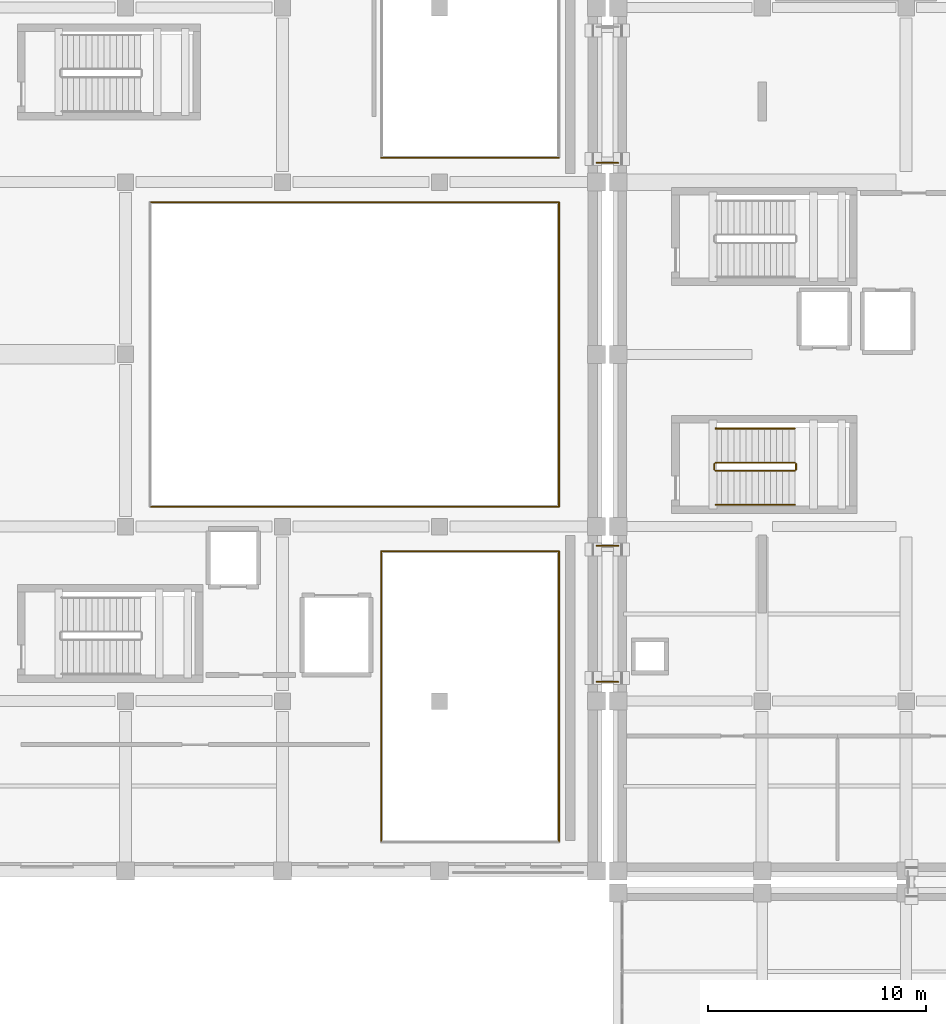
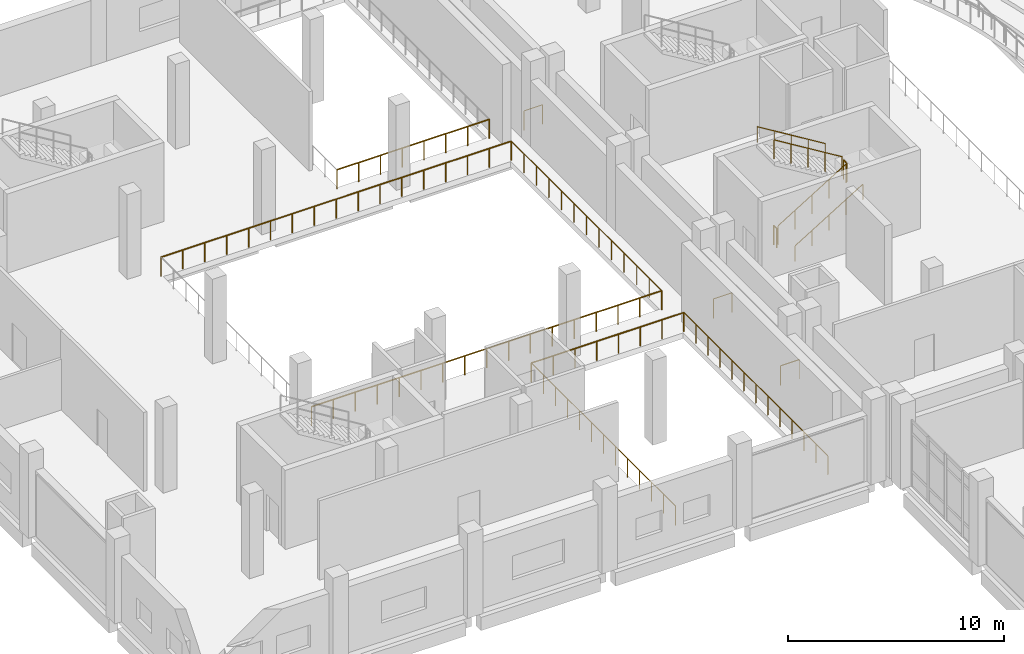
# One storey, part 66 of 73: 16 railings.
"""IFC4 building model written with IfcOpenShell, lengths in metres."""

from ifc_helpers import new_model, si_unit, direction, frame, origin, origin_2d, place, context, subcontext, project, spatial, circle, extrude, material, type_object, element, save


model = new_model("IFC4")

# Units and contexts
model_context = context("Model", 3, precision=1e-05, world=origin(), true_north=direction((0.0, 1.0)))
body_context = subcontext(model_context, "Body", "Model", "MODEL_VIEW")
ifc_project = project(units=[si_unit("LENGTHUNIT", "METRE"), si_unit("AREAUNIT", "SQUARE_METRE"), si_unit("VOLUMEUNIT", "CUBIC_METRE"), si_unit("PLANEANGLEUNIT", "RADIAN"), si_unit("MASSUNIT", "GRAM", prefix="KILO")], contexts=[model_context])

# Site, building, storey
site_placement = place(None, origin())
site = spatial("IfcSite", under=ifc_project, at=site_placement, CompositionType="ELEMENT")
building_placement = place(site_placement, origin())
building = spatial("IfcBuilding", under=site, at=building_placement, Name="Kelarvand Opera House", CompositionType="ELEMENT")
storey_placement = place(building_placement, frame((0.0, 0.0, 10.199951171875)))
storey = spatial("IfcBuildingStorey", under=building, at=storey_placement, Name="L02", CompositionType="ELEMENT", Elevation=10.199951171875)

# Railings
ifc_material_1 = material(Name="Brushed bronze tubular rail")
railing_type_1 = type_object("IfcRailingType", Name="Brushed Bronze Stair Wall Handrail 900", PredefinedType="HANDRAIL", material=ifc_material_1)
railing_1_placement = place(storey_placement, frame((93.4599609375, 55.60009765625, 0.17138671875)))
element("IfcRailing", 1, at=railing_1_placement, inside=storey, type_object=railing_type_1, Name="L02 ST-04 stair handrail 1", PredefinedType="HANDRAIL", context=body_context, shape_type="SweptSolid", body=[
    extrude(circle(Radius=0.02392578125, at=origin_2d()), frame((0.0, 0.0, 0.8759765625), z_axis=(0.852840387347, 0.0, 0.522171689878), x_axis=(0.0, 1.0, 0.0)), (0.0, 0.0, 1.0), 4.268310546875),
    extrude(circle(Radius=0.02099609375, at=origin_2d()), origin(), (0.0, 0.0, 1.0), 0.851806640625),
    extrude(circle(Radius=0.02099609375, at=origin_2d()), frame((0.91015625, 0.0, 0.55712890625)), (0.0, 0.0, 1.0), 0.851806640625),
    extrude(circle(Radius=0.02099609375, at=origin_2d()), frame((1.820068359375, 0.0, 1.1142578125)), (0.0, 0.0, 1.0), 0.851806640625),
    extrude(circle(Radius=0.02099609375, at=origin_2d()), frame((2.72998046875, 0.0, 1.671630859375)), (0.0, 0.0, 1.0), 0.851806640625),
    extrude(circle(Radius=0.02099609375, at=origin_2d()), frame((3.64013671875, 0.0, 2.228759765625)), (0.0, 0.0, 1.0), 0.851806640625),
])
railing_2_placement = place(storey_placement, frame((97.10009765625, 59.10009765625, 2.571533203125)))
element("IfcRailing", 2, at=railing_2_placement, inside=storey, type_object=railing_type_1, Name="L02 ST-04 stair handrail 2", PredefinedType="HANDRAIL", context=body_context, shape_type="SweptSolid", body=[
    extrude(circle(Radius=0.02392578125, at=origin_2d()), frame((0.0, 0.0, 0.8759765625), z_axis=(-0.852865859571, 0.0, 0.52213008492), x_axis=(0.0, -1.0, 0.0)), (0.0, 0.0, 1.0), 4.26806640625),
    extrude(circle(Radius=0.02099609375, at=origin_2d()), origin(), (0.0, 0.0, 1.0), 0.851806640625),
    extrude(circle(Radius=0.02099609375, at=origin_2d()), frame((-0.91015625, 0.0, 0.55712890625)), (0.0, 0.0, 1.0), 0.851806640625),
    extrude(circle(Radius=0.02099609375, at=origin_2d()), frame((-1.820068359375, 0.0, 1.1142578125)), (0.0, 0.0, 1.0), 0.851806640625),
    extrude(circle(Radius=0.02099609375, at=origin_2d()), frame((-2.72998046875, 0.0, 1.67138671875)), (0.0, 0.0, 1.0), 0.851806640625),
    extrude(circle(Radius=0.02099609375, at=origin_2d()), frame((-3.64013671875, 0.0, 2.228515625)), (0.0, 0.0, 1.0), 0.851806640625),
])
ifc_material_2 = material(Name="Laminated safety glass with bronze cap rail", Category="glass")
railing_type_2 = type_object("IfcRailingType", Name="Laminated Glass and Bronze Foyer Balustrade 1120", PredefinedType="BALUSTRADE", material=ifc_material_2)
for number, where, name in (
    (3, (88.0, 71.280029296875, 0.0), "V1 L02 Balustrade 139"),
    (4, (88.0, 47.47998046875, 0.0), "V1 L02 Balustrade 151"),
    (5, (88.0, 53.719970703125, 0.0), "V1 L02 Balustrade 152"),
):
    element("IfcRailing", number, at=place(storey_placement, frame(where)), inside=storey, type_object=railing_type_2, Name=name, PredefinedType="BALUSTRADE", context=body_context, shape_type="SweptSolid", body=[
        extrude(circle(Radius=0.02392578125, at=origin_2d()), frame((0.0, 0.0, 1.09619140625), z_axis=(1.0, 0.0, 0.0), x_axis=(0.0, 1.0, 0.0)), (0.0, 0.0, 1.0), 1.0),
        extrude(circle(Radius=0.02099609375, at=origin_2d()), origin(), (0.0, 0.0, 1.0), 1.072021484375),
        extrude(circle(Radius=0.02099609375, at=origin_2d()), frame((1.0, 0.0, 0.0)), (0.0, 0.0, 1.0), 1.072021484375),
    ])
ifc_material_3 = material(Name="Powder-coated Steel S355", Category="steel")
railing_type_3 = type_object("IfcRailingType", Name="Painted Steel Stair and Void Guardrail 1100", PredefinedType="GUARDRAIL", material=ifc_material_3)
railing_3_placement = place(storey_placement, frame((93.4599609375, 57.159912109375, 0.17138671875)))
element("IfcRailing", 6, at=railing_3_placement, inside=storey, type_object=railing_type_3, Name="L02 ST-04 stair guard 1", PredefinedType="GUARDRAIL", context=body_context, shape_type="SweptSolid", body=[
    extrude(circle(Radius=0.02392578125, at=origin_2d()), frame((0.0, 0.0, 1.076171875), z_axis=(0.852840387347, 0.0, 0.522171689878), x_axis=(0.0, 1.0, 0.0)), (0.0, 0.0, 1.0), 4.268310546875),
    extrude(circle(Radius=0.02099609375, at=origin_2d()), origin(), (0.0, 0.0, 1.0), 1.052001953125),
    extrude(circle(Radius=0.02099609375, at=origin_2d()), frame((0.91015625, 0.0, 0.55712890625)), (0.0, 0.0, 1.0), 1.052001953125),
    extrude(circle(Radius=0.02099609375, at=origin_2d()), frame((1.820068359375, 0.0, 1.1142578125)), (0.0, 0.0, 1.0), 1.052001953125),
    extrude(circle(Radius=0.02099609375, at=origin_2d()), frame((2.72998046875, 0.0, 1.671630859375)), (0.0, 0.0, 1.0), 1.052001953125),
    extrude(circle(Radius=0.02099609375, at=origin_2d()), frame((3.64013671875, 0.0, 2.228759765625)), (0.0, 0.0, 1.0), 1.052001953125),
])
railing_4_placement = place(storey_placement, frame((97.14990234375, 57.2099609375, 2.400146484375)))
element("IfcRailing", 7, at=railing_4_placement, inside=storey, type_object=railing_type_3, Name="L02 ST-04 stair guard 2", PredefinedType="GUARDRAIL", context=body_context, shape_type="SweptSolid", body=[
    extrude(circle(Radius=0.02392578125, at=origin_2d()), frame((0.0, 0.0, 1.076171875), z_axis=(0.0, 1.0, 0.0), x_axis=(-1.0, 0.0, 0.0)), (0.0, 0.0, 1.0), 0.280029296875),
    extrude(circle(Radius=0.02099609375, at=origin_2d()), origin(), (0.0, 0.0, 1.0), 1.052001953125),
    extrude(circle(Radius=0.02099609375, at=origin_2d()), frame((0.0, 0.280029296875, 0.0)), (0.0, 0.0, 1.0), 1.052001953125),
])
railing_5_placement = place(storey_placement, frame((97.10009765625, 57.5400390625, 2.571533203125)))
element("IfcRailing", 8, at=railing_5_placement, inside=storey, type_object=railing_type_3, Name="L02 ST-04 stair guard 3", PredefinedType="GUARDRAIL", context=body_context, shape_type="SweptSolid", body=[
    extrude(circle(Radius=0.02392578125, at=origin_2d()), frame((0.0, 0.0, 1.076171875), z_axis=(-0.852865859571, 0.0, 0.52213008492), x_axis=(0.0, -1.0, 0.0)), (0.0, 0.0, 1.0), 4.26806640625),
    extrude(circle(Radius=0.02099609375, at=origin_2d()), origin(), (0.0, 0.0, 1.0), 1.052001953125),
    extrude(circle(Radius=0.02099609375, at=origin_2d()), frame((-0.91015625, 0.0, 0.55712890625)), (0.0, 0.0, 1.0), 1.052001953125),
    extrude(circle(Radius=0.02099609375, at=origin_2d()), frame((-1.820068359375, 0.0, 1.1142578125)), (0.0, 0.0, 1.0), 1.052001953125),
    extrude(circle(Radius=0.02099609375, at=origin_2d()), frame((-2.72998046875, 0.0, 1.67138671875)), (0.0, 0.0, 1.0), 1.052001953125),
    extrude(circle(Radius=0.02099609375, at=origin_2d()), frame((-3.64013671875, 0.0, 2.228515625)), (0.0, 0.0, 1.0), 1.052001953125),
])
railing_6_placement = place(storey_placement, frame((93.409912109375, 57.2099609375, 0.0)))
element("IfcRailing", 9, at=railing_6_placement, inside=storey, type_object=railing_type_3, Name="L02 ST-04 stair guard 4", PredefinedType="GUARDRAIL", context=body_context, shape_type="SweptSolid", body=[
    extrude(circle(Radius=0.02392578125, at=origin_2d()), frame((0.0, 0.0, 1.076171875), z_axis=(0.0, 1.0, 0.0), x_axis=(-1.0, 0.0, 0.0)), (0.0, 0.0, 1.0), 0.280029296875),
    extrude(circle(Radius=0.02099609375, at=origin_2d()), origin(), (0.0, 0.0, 1.0), 1.052001953125),
    extrude(circle(Radius=0.02099609375, at=origin_2d()), frame((0.0, 0.280029296875, 0.0)), (0.0, 0.0, 1.0), 1.052001953125),
])
railing_7_placement = place(storey_placement, frame((86.280029296875, 53.47998046875, 0.0)))
element("IfcRailing", 10, at=railing_7_placement, inside=storey, type_object=railing_type_3, Name="V2 L02 Guardrail 57", PredefinedType="GUARDRAIL", context=body_context, shape_type="SweptSolid", body=[
    extrude(circle(Radius=0.02392578125, at=origin_2d()), frame((0.0, 0.0, 1.076171875), z_axis=(0.0, -1.0, 0.0), x_axis=(1.0, 0.0, 0.0)), (0.0, 0.0, 1.0), 13.35986328125),
    extrude(circle(Radius=0.02099609375, at=origin_2d()), origin(), (0.0, 0.0, 1.0), 1.052001953125),
    extrude(circle(Radius=0.02099609375, at=origin_2d()), frame((0.0, -1.11328125, 0.0)), (0.0, 0.0, 1.0), 1.052001953125),
    extrude(circle(Radius=0.02099609375, at=origin_2d()), frame((0.0, -2.2265625, 0.0)), (0.0, 0.0, 1.0), 1.052001953125),
    extrude(circle(Radius=0.02099609375, at=origin_2d()), frame((0.0, -3.33984375, 0.0)), (0.0, 0.0, 1.0), 1.052001953125),
    extrude(circle(Radius=0.02099609375, at=origin_2d()), frame((0.0, -4.453369140625, 0.0)), (0.0, 0.0, 1.0), 1.052001953125),
    extrude(circle(Radius=0.02099609375, at=origin_2d()), frame((0.0, -5.566650390625, 0.0)), (0.0, 0.0, 1.0), 1.052001953125),
    extrude(circle(Radius=0.02099609375, at=origin_2d()), frame((0.0, -6.679931640625, 0.0)), (0.0, 0.0, 1.0), 1.052001953125),
    extrude(circle(Radius=0.02099609375, at=origin_2d()), frame((0.0, -7.793212890625, 0.0)), (0.0, 0.0, 1.0), 1.052001953125),
    extrude(circle(Radius=0.02099609375, at=origin_2d()), frame((0.0, -8.906494140625, 0.0)), (0.0, 0.0, 1.0), 1.052001953125),
    extrude(circle(Radius=0.02099609375, at=origin_2d()), frame((0.0, -10.02001953125, 0.0)), (0.0, 0.0, 1.0), 1.052001953125),
    extrude(circle(Radius=0.02099609375, at=origin_2d()), frame((0.0, -11.13330078125, 0.0)), (0.0, 0.0, 1.0), 1.052001953125),
    extrude(circle(Radius=0.02099609375, at=origin_2d()), frame((0.0, -12.24658203125, 0.0)), (0.0, 0.0, 1.0), 1.052001953125),
    extrude(circle(Radius=0.02099609375, at=origin_2d()), frame((0.0, -13.35986328125, 0.0)), (0.0, 0.0, 1.0), 1.052001953125),
])
railing_8_placement = place(storey_placement, frame((78.1201171875, 40.1201171875, 0.0)))
element("IfcRailing", 11, at=railing_8_placement, inside=storey, type_object=railing_type_3, Name="V2 L02 Guardrail 59", PredefinedType="GUARDRAIL", context=body_context, shape_type="SweptSolid", body=[
    extrude(circle(Radius=0.02392578125, at=origin_2d()), frame((0.0, 0.0, 1.076171875), z_axis=(0.0, 1.0, 0.0), x_axis=(-1.0, 0.0, 0.0)), (0.0, 0.0, 1.0), 13.35986328125),
    extrude(circle(Radius=0.02099609375, at=origin_2d()), origin(), (0.0, 0.0, 1.0), 1.052001953125),
    extrude(circle(Radius=0.02099609375, at=origin_2d()), frame((0.0, 1.11328125, 0.0)), (0.0, 0.0, 1.0), 1.052001953125),
    extrude(circle(Radius=0.02099609375, at=origin_2d()), frame((0.0, 2.2265625, 0.0)), (0.0, 0.0, 1.0), 1.052001953125),
    extrude(circle(Radius=0.02099609375, at=origin_2d()), frame((0.0, 3.33984375, 0.0)), (0.0, 0.0, 1.0), 1.052001953125),
    extrude(circle(Radius=0.02099609375, at=origin_2d()), frame((0.0, 4.453369140625, 0.0)), (0.0, 0.0, 1.0), 1.052001953125),
    extrude(circle(Radius=0.02099609375, at=origin_2d()), frame((0.0, 5.566650390625, 0.0)), (0.0, 0.0, 1.0), 1.052001953125),
    extrude(circle(Radius=0.02099609375, at=origin_2d()), frame((0.0, 6.679931640625, 0.0)), (0.0, 0.0, 1.0), 1.052001953125),
    extrude(circle(Radius=0.02099609375, at=origin_2d()), frame((0.0, 7.793212890625, 0.0)), (0.0, 0.0, 1.0), 1.052001953125),
    extrude(circle(Radius=0.02099609375, at=origin_2d()), frame((0.0, 8.906494140625, 0.0)), (0.0, 0.0, 1.0), 1.052001953125),
    extrude(circle(Radius=0.02099609375, at=origin_2d()), frame((0.0, 10.02001953125, 0.0)), (0.0, 0.0, 1.0), 1.052001953125),
    extrude(circle(Radius=0.02099609375, at=origin_2d()), frame((0.0, 11.13330078125, 0.0)), (0.0, 0.0, 1.0), 1.052001953125),
    extrude(circle(Radius=0.02099609375, at=origin_2d()), frame((0.0, 12.24658203125, 0.0)), (0.0, 0.0, 1.0), 1.052001953125),
    extrude(circle(Radius=0.02099609375, at=origin_2d()), frame((0.0, 13.35986328125, 0.0)), (0.0, 0.0, 1.0), 1.052001953125),
])
railing_9_placement = place(storey_placement, frame((78.1201171875, 53.47998046875, 0.0)))
element("IfcRailing", 12, at=railing_9_placement, inside=storey, type_object=railing_type_3, Name="V2 L02 Guardrail 60", PredefinedType="GUARDRAIL", context=body_context, shape_type="SweptSolid", body=[
    extrude(circle(Radius=0.02392578125, at=origin_2d()), frame((0.0, 0.0, 1.076171875), z_axis=(1.0, 0.0, 0.0), x_axis=(0.0, 1.0, 0.0)), (0.0, 0.0, 1.0), 8.159912109375),
    extrude(circle(Radius=0.02099609375, at=origin_2d()), origin(), (0.0, 0.0, 1.0), 1.052001953125),
    extrude(circle(Radius=0.02099609375, at=origin_2d()), frame((1.165771484375, 0.0, 0.0)), (0.0, 0.0, 1.0), 1.052001953125),
    extrude(circle(Radius=0.02099609375, at=origin_2d()), frame((2.331298828125, 0.0, 0.0)), (0.0, 0.0, 1.0), 1.052001953125),
    extrude(circle(Radius=0.02099609375, at=origin_2d()), frame((3.4970703125, 0.0, 0.0)), (0.0, 0.0, 1.0), 1.052001953125),
    extrude(circle(Radius=0.02099609375, at=origin_2d()), frame((4.662841796875, 0.0, 0.0)), (0.0, 0.0, 1.0), 1.052001953125),
    extrude(circle(Radius=0.02099609375, at=origin_2d()), frame((5.82861328125, 0.0, 0.0)), (0.0, 0.0, 1.0), 1.052001953125),
    extrude(circle(Radius=0.02099609375, at=origin_2d()), frame((6.994140625, 0.0, 0.0)), (0.0, 0.0, 1.0), 1.052001953125),
    extrude(circle(Radius=0.02099609375, at=origin_2d()), frame((8.159912109375, 0.0, 0.0)), (0.0, 0.0, 1.0), 1.052001953125),
])
railing_10_placement = place(storey_placement, frame((86.280029296875, 69.47998046875, 0.0)))
element("IfcRailing", 13, at=railing_10_placement, inside=storey, type_object=railing_type_3, Name="V2 L02 Guardrail 61", PredefinedType="GUARDRAIL", context=body_context, shape_type="SweptSolid", body=[
    extrude(circle(Radius=0.02392578125, at=origin_2d()), frame((0.0, 0.0, 1.076171875), z_axis=(0.0, -1.0, 0.0), x_axis=(1.0, 0.0, 0.0)), (0.0, 0.0, 1.0), 13.9599609375),
    extrude(circle(Radius=0.02099609375, at=origin_2d()), origin(), (0.0, 0.0, 1.0), 1.052001953125),
    extrude(circle(Radius=0.02099609375, at=origin_2d()), frame((0.0, -1.163330078125, 0.0)), (0.0, 0.0, 1.0), 1.052001953125),
    extrude(circle(Radius=0.02099609375, at=origin_2d()), frame((0.0, -2.32666015625, 0.0)), (0.0, 0.0, 1.0), 1.052001953125),
    extrude(circle(Radius=0.02099609375, at=origin_2d()), frame((0.0, -3.489990234375, 0.0)), (0.0, 0.0, 1.0), 1.052001953125),
    extrude(circle(Radius=0.02099609375, at=origin_2d()), frame((0.0, -4.6533203125, 0.0)), (0.0, 0.0, 1.0), 1.052001953125),
    extrude(circle(Radius=0.02099609375, at=origin_2d()), frame((0.0, -5.816650390625, 0.0)), (0.0, 0.0, 1.0), 1.052001953125),
    extrude(circle(Radius=0.02099609375, at=origin_2d()), frame((0.0, -6.97998046875, 0.0)), (0.0, 0.0, 1.0), 1.052001953125),
    extrude(circle(Radius=0.02099609375, at=origin_2d()), frame((0.0, -8.143310546875, 0.0)), (0.0, 0.0, 1.0), 1.052001953125),
    extrude(circle(Radius=0.02099609375, at=origin_2d()), frame((0.0, -9.306640625, 0.0)), (0.0, 0.0, 1.0), 1.052001953125),
    extrude(circle(Radius=0.02099609375, at=origin_2d()), frame((0.0, -10.469970703125, 0.0)), (0.0, 0.0, 1.0), 1.052001953125),
    extrude(circle(Radius=0.02099609375, at=origin_2d()), frame((0.0, -11.63330078125, 0.0)), (0.0, 0.0, 1.0), 1.052001953125),
    extrude(circle(Radius=0.02099609375, at=origin_2d()), frame((0.0, -12.796630859375, 0.0)), (0.0, 0.0, 1.0), 1.052001953125),
    extrude(circle(Radius=0.02099609375, at=origin_2d()), frame((0.0, -13.9599609375, 0.0)), (0.0, 0.0, 1.0), 1.052001953125),
])
railing_11_placement = place(storey_placement, frame((86.280029296875, 55.52001953125, 0.0)))
element("IfcRailing", 14, at=railing_11_placement, inside=storey, type_object=railing_type_3, Name="V2 L02 Guardrail 62", PredefinedType="GUARDRAIL", context=body_context, shape_type="SweptSolid", body=[
    extrude(circle(Radius=0.02392578125, at=origin_2d()), frame((0.0, 0.0, 1.076171875), z_axis=(-1.0, 0.0, 0.0), x_axis=(0.0, -1.0, 0.0)), (0.0, 0.0, 1.0), 18.760009765625),
    extrude(circle(Radius=0.02099609375, at=origin_2d()), origin(), (0.0, 0.0, 1.0), 1.052001953125),
    extrude(circle(Radius=0.02099609375, at=origin_2d()), frame((-1.172607421875, 0.0, 0.0)), (0.0, 0.0, 1.0), 1.052001953125),
    extrude(circle(Radius=0.02099609375, at=origin_2d()), frame((-2.344970703125, 0.0, 0.0)), (0.0, 0.0, 1.0), 1.052001953125),
    extrude(circle(Radius=0.02099609375, at=origin_2d()), frame((-3.517578125, 0.0, 0.0)), (0.0, 0.0, 1.0), 1.052001953125),
    extrude(circle(Radius=0.02099609375, at=origin_2d()), frame((-4.68994140625, 0.0, 0.0)), (0.0, 0.0, 1.0), 1.052001953125),
    extrude(circle(Radius=0.02099609375, at=origin_2d()), frame((-5.862548828125, 0.0, 0.0)), (0.0, 0.0, 1.0), 1.052001953125),
    extrude(circle(Radius=0.02099609375, at=origin_2d()), frame((-7.034912109375, 0.0, 0.0)), (0.0, 0.0, 1.0), 1.052001953125),
    extrude(circle(Radius=0.02099609375, at=origin_2d()), frame((-8.20751953125, 0.0, 0.0)), (0.0, 0.0, 1.0), 1.052001953125),
    extrude(circle(Radius=0.02099609375, at=origin_2d()), frame((-9.3798828125, 0.0, 0.0)), (0.0, 0.0, 1.0), 1.052001953125),
    extrude(circle(Radius=0.02099609375, at=origin_2d()), frame((-10.552490234375, 0.0, 0.0)), (0.0, 0.0, 1.0), 1.052001953125),
    extrude(circle(Radius=0.02099609375, at=origin_2d()), frame((-11.72509765625, 0.0, 0.0)), (0.0, 0.0, 1.0), 1.052001953125),
    extrude(circle(Radius=0.02099609375, at=origin_2d()), frame((-12.8974609375, 0.0, 0.0)), (0.0, 0.0, 1.0), 1.052001953125),
    extrude(circle(Radius=0.02099609375, at=origin_2d()), frame((-14.070068359375, 0.0, 0.0)), (0.0, 0.0, 1.0), 1.052001953125),
    extrude(circle(Radius=0.02099609375, at=origin_2d()), frame((-15.242431640625, 0.0, 0.0)), (0.0, 0.0, 1.0), 1.052001953125),
    extrude(circle(Radius=0.02099609375, at=origin_2d()), frame((-16.4150390625, 0.0, 0.0)), (0.0, 0.0, 1.0), 1.052001953125),
    extrude(circle(Radius=0.02099609375, at=origin_2d()), frame((-17.58740234375, 0.0, 0.0)), (0.0, 0.0, 1.0), 1.052001953125),
    extrude(circle(Radius=0.02099609375, at=origin_2d()), frame((-18.760009765625, 0.0, 0.0)), (0.0, 0.0, 1.0), 1.052001953125),
])
railing_12_placement = place(storey_placement, frame((67.52001953125, 69.47998046875, 0.0)))
element("IfcRailing", 15, at=railing_12_placement, inside=storey, type_object=railing_type_3, Name="V2 L02 Guardrail 64", PredefinedType="GUARDRAIL", context=body_context, shape_type="SweptSolid", body=[
    extrude(circle(Radius=0.02392578125, at=origin_2d()), frame((0.0, 0.0, 1.076171875), z_axis=(1.0, 0.0, 0.0), x_axis=(0.0, 1.0, 0.0)), (0.0, 0.0, 1.0), 18.760009765625),
    extrude(circle(Radius=0.02099609375, at=origin_2d()), origin(), (0.0, 0.0, 1.0), 1.052001953125),
    extrude(circle(Radius=0.02099609375, at=origin_2d()), frame((1.172607421875, 0.0, 0.0)), (0.0, 0.0, 1.0), 1.052001953125),
    extrude(circle(Radius=0.02099609375, at=origin_2d()), frame((2.344970703125, 0.0, 0.0)), (0.0, 0.0, 1.0), 1.052001953125),
    extrude(circle(Radius=0.02099609375, at=origin_2d()), frame((3.517578125, 0.0, 0.0)), (0.0, 0.0, 1.0), 1.052001953125),
    extrude(circle(Radius=0.02099609375, at=origin_2d()), frame((4.68994140625, 0.0, 0.0)), (0.0, 0.0, 1.0), 1.052001953125),
    extrude(circle(Radius=0.02099609375, at=origin_2d()), frame((5.862548828125, 0.0, 0.0)), (0.0, 0.0, 1.0), 1.052001953125),
    extrude(circle(Radius=0.02099609375, at=origin_2d()), frame((7.034912109375, 0.0, 0.0)), (0.0, 0.0, 1.0), 1.052001953125),
    extrude(circle(Radius=0.02099609375, at=origin_2d()), frame((8.20751953125, 0.0, 0.0)), (0.0, 0.0, 1.0), 1.052001953125),
    extrude(circle(Radius=0.02099609375, at=origin_2d()), frame((9.3798828125, 0.0, 0.0)), (0.0, 0.0, 1.0), 1.052001953125),
    extrude(circle(Radius=0.02099609375, at=origin_2d()), frame((10.552490234375, 0.0, 0.0)), (0.0, 0.0, 1.0), 1.052001953125),
    extrude(circle(Radius=0.02099609375, at=origin_2d()), frame((11.72509765625, 0.0, 0.0)), (0.0, 0.0, 1.0), 1.052001953125),
    extrude(circle(Radius=0.02099609375, at=origin_2d()), frame((12.8974609375, 0.0, 0.0)), (0.0, 0.0, 1.0), 1.052001953125),
    extrude(circle(Radius=0.02099609375, at=origin_2d()), frame((14.070068359375, 0.0, 0.0)), (0.0, 0.0, 1.0), 1.052001953125),
    extrude(circle(Radius=0.02099609375, at=origin_2d()), frame((15.242431640625, 0.0, 0.0)), (0.0, 0.0, 1.0), 1.052001953125),
    extrude(circle(Radius=0.02099609375, at=origin_2d()), frame((16.4150390625, 0.0, 0.0)), (0.0, 0.0, 1.0), 1.052001953125),
    extrude(circle(Radius=0.02099609375, at=origin_2d()), frame((17.58740234375, 0.0, 0.0)), (0.0, 0.0, 1.0), 1.052001953125),
    extrude(circle(Radius=0.02099609375, at=origin_2d()), frame((18.760009765625, 0.0, 0.0)), (0.0, 0.0, 1.0), 1.052001953125),
])
railing_13_placement = place(storey_placement, frame((86.280029296875, 71.52001953125, 0.0)))
element("IfcRailing", 16, at=railing_13_placement, inside=storey, type_object=railing_type_3, Name="V2 L02 Guardrail 66", PredefinedType="GUARDRAIL", context=body_context, shape_type="SweptSolid", body=[
    extrude(circle(Radius=0.02392578125, at=origin_2d()), frame((0.0, 0.0, 1.076171875), z_axis=(-1.0, 0.0, 0.0), x_axis=(0.0, -1.0, 0.0)), (0.0, 0.0, 1.0), 8.159912109375),
    extrude(circle(Radius=0.02099609375, at=origin_2d()), origin(), (0.0, 0.0, 1.0), 1.052001953125),
    extrude(circle(Radius=0.02099609375, at=origin_2d()), frame((-1.165771484375, 0.0, 0.0)), (0.0, 0.0, 1.0), 1.052001953125),
    extrude(circle(Radius=0.02099609375, at=origin_2d()), frame((-2.331298828125, 0.0, 0.0)), (0.0, 0.0, 1.0), 1.052001953125),
    extrude(circle(Radius=0.02099609375, at=origin_2d()), frame((-3.4970703125, 0.0, 0.0)), (0.0, 0.0, 1.0), 1.052001953125),
    extrude(circle(Radius=0.02099609375, at=origin_2d()), frame((-4.662841796875, 0.0, 0.0)), (0.0, 0.0, 1.0), 1.052001953125),
    extrude(circle(Radius=0.02099609375, at=origin_2d()), frame((-5.82861328125, 0.0, 0.0)), (0.0, 0.0, 1.0), 1.052001953125),
    extrude(circle(Radius=0.02099609375, at=origin_2d()), frame((-6.994140625, 0.0, 0.0)), (0.0, 0.0, 1.0), 1.052001953125),
    extrude(circle(Radius=0.02099609375, at=origin_2d()), frame((-8.159912109375, 0.0, 0.0)), (0.0, 0.0, 1.0), 1.052001953125),
])

save(model, "model.ifc")
